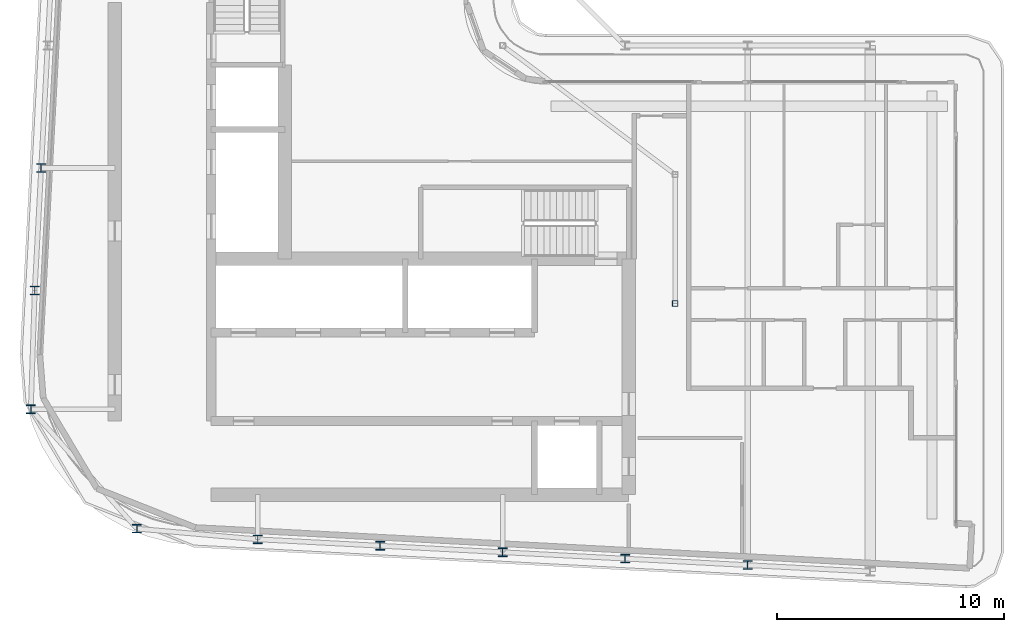
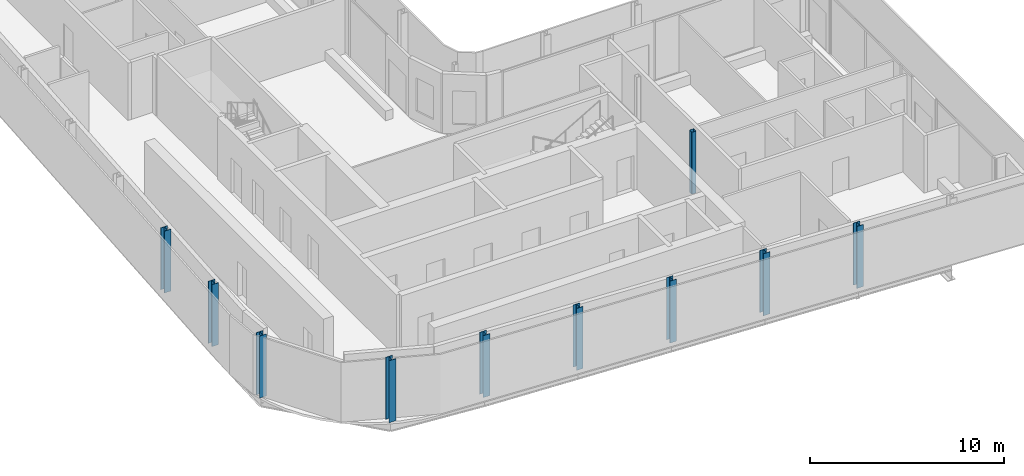
# One storey, part 1 of 21: 10 columns.
"""IFC4 building model written with IfcOpenShell, lengths in metres."""

from ifc_helpers import new_model, si_unit, direction, frame, origin, origin_2d, place, context, subcontext, project, spatial, hollow_rectangle, i_section, extrude, material, material_profile, profile_set, type_object, element, save


model = new_model("IFC4")

# Units and contexts
model_context = context("Model", 3, precision=1e-05, world=origin(), true_north=direction((0.0, 1.0)))
body_context = subcontext(model_context, "Body", "Model", "MODEL_VIEW")
ifc_project = project(units=[si_unit("LENGTHUNIT", "METRE"), si_unit("AREAUNIT", "SQUARE_METRE"), si_unit("VOLUMEUNIT", "CUBIC_METRE"), si_unit("PLANEANGLEUNIT", "RADIAN"), si_unit("MASSUNIT", "GRAM", prefix="KILO")], contexts=[model_context])

# Site, building, storey
site_placement = place(None, origin())
site = spatial("IfcSite", under=ifc_project, at=site_placement, CompositionType="ELEMENT")
building_placement = place(site_placement, origin())
building = spatial("IfcBuilding", under=site, at=building_placement, Name="Kheshtan School and Residences Tower", CompositionType="ELEMENT")
storey_placement = place(building_placement, frame((0.0, 0.0, 294.199951171875)))
storey = spatial("IfcBuildingStorey", under=building, at=storey_placement, Name="L69", CompositionType="ELEMENT", Elevation=294.199951171875)

# Columns
ifc_material_1 = material(Name="Steel ASTM A992 Grade 50", Category="steel")
ifc_material_profile_1 = material_profile(ifc_material_1, i_section(OverallWidth=0.39501953125, OverallDepth=0.3798828125, WebThickness=0.018798828125, FlangeThickness=0.0302734375, FilletRadius=0.011474609375, at=origin_2d()), Name="W360x237")
ifc_profile_set_1 = profile_set([ifc_material_profile_1], Name="Steel ASTM A992 Grade 50")
column_type_1 = type_object("IfcColumnType", Name="Column C5 W360x237 ASTM A992 Grade 50", PredefinedType="COLUMN", material=ifc_profile_set_1)
for number, where, z_axis, x_axis, name in (
    (1, (58.39990234375, 22.695068359375, 0.0), (0.0, 0.0, 1.0), (1.0, 0.0, 0.0), "Column C018"),
    (2, (53.0, 22.97998046875, 0.0), (0.0, 0.0, 1.0), (1.0, 0.0, 0.0), "Column C019"),
    (3, (47.60009765625, 23.263916015625, 0.0), (0.0, 0.0, 1.0), (1.0, 0.0, 0.0), "Column C020"),
    (4, (42.199951171875, 23.548095703125, 0.0), (0.0, 0.0, 1.0), (1.0, 0.0, 0.0), "Column C021"),
    (5, (36.800048828125, 23.83203125, 0.0), (0.0, 0.0, 1.0), (1.0, 0.0, 0.0), "Column C022"),
    (6, (31.47412109375, 24.302001953125, 0.0), (0.0, 0.0, 1.0), (1.0, 0.0, 0.0), "Column C031"),
    (7, (26.797119140625, 29.56591796875, 0.0), (0.0, 0.0, 1.0), (1.0, 0.0, 0.0), "Column C044"),
    (8, (26.968994140625, 34.800048828125, 0.0), (0.0, 0.0, 1.0), (1.0, 0.0, 0.0), "Column C052"),
    (9, (27.2529296875, 40.199951171875, 0.0), (0.0, 0.0, 1.0), (1.0, 0.0, 0.0), "Column C056"),
):
    element("IfcColumn", number, at=place(storey_placement, frame(where, z_axis=z_axis, x_axis=x_axis)), inside=storey, type_object=column_type_1, Name=name, PredefinedType="COLUMN", context=body_context, shape_type="SweptSolid", body=[
        extrude(i_section(OverallWidth=0.39501953125, OverallDepth=0.3798828125, WebThickness=0.018798828125, FlangeThickness=0.0302734375, FilletRadius=0.011474609375, at=origin_2d()), origin(), (0.0, 0.0, 1.0), 3.900146484375),
    ])
ifc_material_2 = material(Name="Steel ASTM A500 Grade C", Category="steel")
ifc_material_profile_2 = material_profile(ifc_material_2, hollow_rectangle(XDim=0.25390625, YDim=0.25390625, WallThickness=0.0126953125, InnerFilletRadius=0.0126953125, OuterFilletRadius=0.025390625, at=origin_2d()), Name="HSS 254x254x12.7")
ifc_profile_set_2 = profile_set([ifc_material_profile_2], Name="Steel ASTM A500 Grade C")
column_type_2 = type_object("IfcColumnType", Name="Column IC3 HSS 254x254x12.7 ASTM A500 Grade C", PredefinedType="COLUMN", material=ifc_profile_set_2)
column_placement = place(storey_placement, frame((55.199951171875, 34.23193359375, 0.0), z_axis=(0.0, 0.0, 1.0), x_axis=(1.0, 0.0, 0.0)))
element("IfcColumn", 10, at=column_placement, inside=storey, type_object=column_type_2, Name="Column C051", PredefinedType="COLUMN", context=body_context, shape_type="SweptSolid", body=[
    extrude(hollow_rectangle(XDim=0.25390625, YDim=0.25390625, WallThickness=0.0126953125, InnerFilletRadius=0.0126953125, OuterFilletRadius=0.025390625, at=origin_2d()), origin(), (0.0, 0.0, 1.0), 3.900146484375),
])

save(model, "model.ifc")
